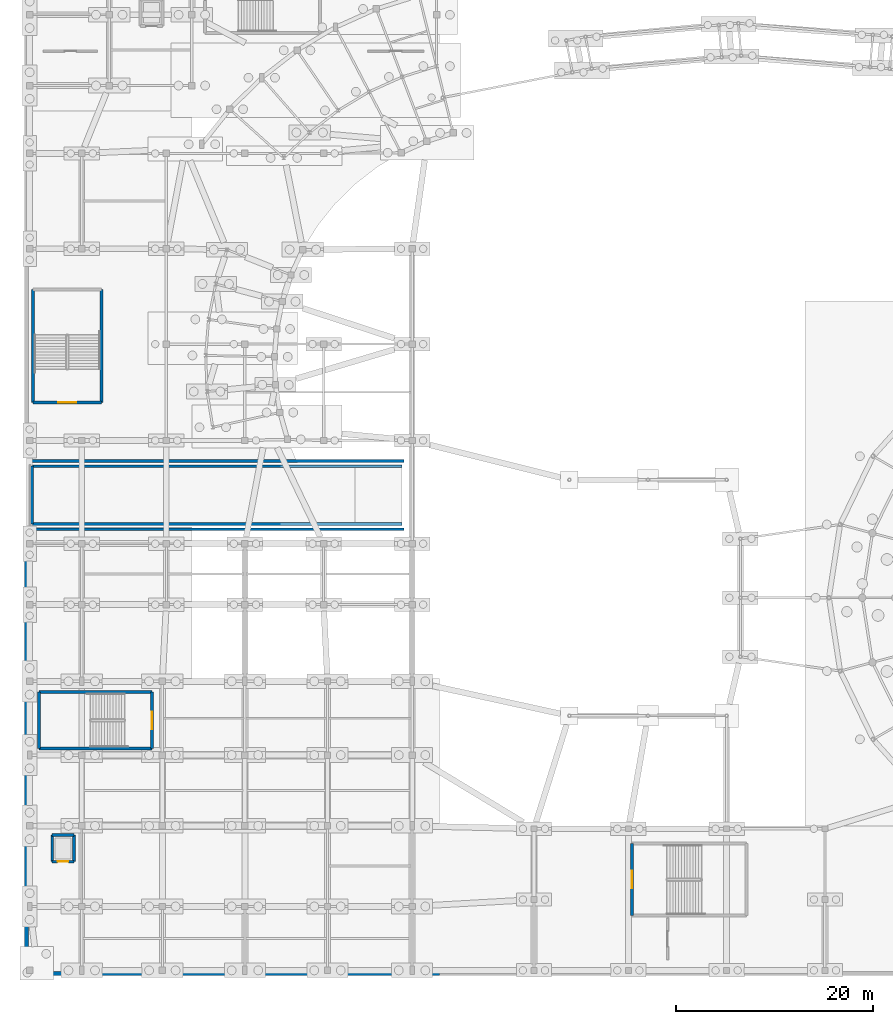
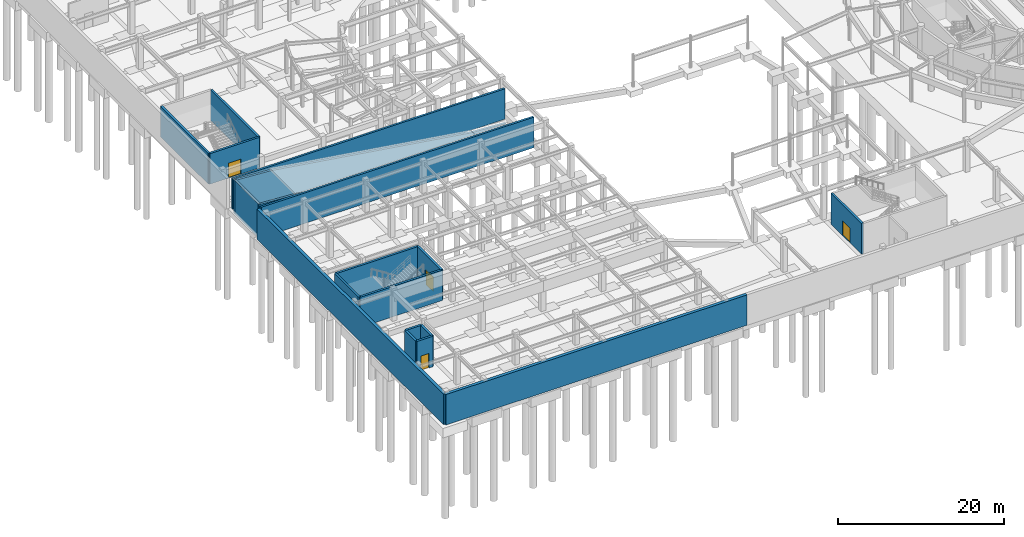
# One storey, part 36 of 68: 19 walls, 4 doors, 4 openings.
"""IFC4 building model written with IfcOpenShell, lengths in metres."""

from ifc_helpers import new_model, si_unit, direction, frame, frame_2d, origin, place, context, subcontext, project, spatial, polyline, rectangle, outline, extrude, material, layer, layer_set, type_object, element, fill, save


model = new_model("IFC4")

# Units and contexts
model_context = context("Model", 3, precision=1e-05, world=origin(), true_north=direction((0.0, 1.0)))
body_context = subcontext(model_context, "Body", "Model", "MODEL_VIEW")
ifc_project = project(units=[si_unit("LENGTHUNIT", "METRE"), si_unit("AREAUNIT", "SQUARE_METRE"), si_unit("VOLUMEUNIT", "CUBIC_METRE"), si_unit("PLANEANGLEUNIT", "RADIAN"), si_unit("MASSUNIT", "GRAM", prefix="KILO")], contexts=[model_context])

# Site, building, storey
site_placement = place(None, origin())
site = spatial("IfcSite", under=ifc_project, at=site_placement, CompositionType="ELEMENT")
building_placement = place(site_placement, origin())
building = spatial("IfcBuilding", under=site, at=building_placement, Name="Cinderbank Siding Concert Hall", CompositionType="ELEMENT")
storey_placement = place(building_placement, frame((0.0, 0.0, -4.800048828125)))
storey = spatial("IfcBuildingStorey", under=building, at=storey_placement, Name="B1", CompositionType="ELEMENT", Elevation=-4.800048828125)

# Walls
ifc_material_1 = material(Name="Reinforced concrete AS 3600 N50 (50 MPa)", Category="concrete")
ifc_layer_1 = layer(ifc_material_1, 0.300048828125)
ifc_layer_set_1 = layer_set([ifc_layer_1], Name="Reinforced concrete AS 3600 N50 (50 MPa)")
wall_type_1 = type_object("IfcWallType", Name="WL-03 Structural Wall 300mm", PredefinedType="SHEAR", material=ifc_layer_set_1)
for number, where, z_axis, x_axis, name in (
    (1, (45.0, 57.3798828125, -0.349853515625), (0.0, 0.0, 1.0), (-1.0, 0.0, 0.0), "B1 Vehicle Ramp Bearing Cheek Wall N"),
    (2, (45.0, 51.52001953125, -0.349853515625), (0.0, 0.0, 1.0), (-1.0, 0.0, 0.0), "B1 Vehicle Ramp Bearing Cheek Wall S"),
):
    element("IfcWall", number, at=place(storey_placement, frame(where, z_axis=z_axis, x_axis=x_axis)), inside=storey, type_object=wall_type_1, Name=name, PredefinedType="SHEAR", context=body_context, shape_type="SweptSolid", body=[
        extrude(outline(polyline([(0.0, 0.0), (37.800048828125, 0.0), (37.800048828125, 4.91796875), (32.800048828125, 4.614990234375), (4.800048828125, 0.414794921875), (0.0, 0.117919921875), (0.0, 0.0)])), frame((0.0, 0.14990234375, 0.0), z_axis=(0.0, -1.0, 0.0), x_axis=(1.0, 0.0, 0.0)), (0.0, 0.0, 1.0), 0.300048828125),
    ])
wall_1_placement = place(storey_placement, frame((7.35009765625, 51.52001953125, -0.349853515625), z_axis=(0.0, 0.0, 1.0), x_axis=(0.0, 1.0, 0.0)))
element("IfcWall", 3, at=wall_1_placement, inside=storey, type_object=wall_type_1, Name="B1 Vehicle Ramp Threshold Bearing Wall", PredefinedType="SHEAR", context=body_context, shape_type="SweptSolid", body=[
    extrude(rectangle(XDim=5.85986328125, YDim=0.300048828125, at=frame_2d((2.929931640625, 0.0))), origin(), (0.0, 0.0, 1.0), 4.914794921875),
])

# Wall, opening, door
wall_2_placement = place(storey_placement, frame((19.5400390625, 34.39990234375, 0.0), z_axis=(0.0, 0.0, 1.0), x_axis=(0.0, -1.0, 0.0)))
wall_2 = element("IfcWall", 4, at=wall_2_placement, inside=storey, type_object=wall_type_1, Name="B1 ST-06 Core Wall ENTRY", PredefinedType="SHEAR", context=body_context, shape_type="SweptSolid", body=[
    extrude(rectangle(XDim=5.739990234375, YDim=0.300048828125, at=frame_2d((2.8701171875, 0.0))), origin(), (0.0, 0.0, 1.0), 4.47998046875),
])
opening_1_placement = place(wall_2_placement, frame((1.969970703125, 0.0, 0.0)))
opening_1 = element("IfcOpeningElement", 5, at=opening_1_placement, cuts=wall_2, Name="Opening D-05", PredefinedType="OPENING", context=body_context, shape_type="SweptSolid", body=[
    extrude(rectangle(XDim=1.800048828125, YDim=2.199951171875, at=frame_2d((0.89990234375, 1.10009765625))), frame((0.0, 0.162109375, 0.0), z_axis=(0.0, -1.0, 0.0), x_axis=(1.0, 0.0, 0.0)), (0.0, 0.0, 1.0), 0.323974609375),
])
ifc_material_2 = material(Name="Galvanised sheet steel acoustic fire door assembly", Category="steel")
door_type_1 = type_object("IfcDoorType", Name="D-05 Interior Door 1800x2200", OperationType="DOUBLE_DOOR_SINGLE_SWING", PredefinedType="DOOR", material=ifc_material_2)
door_1_placement = place(opening_1_placement, origin())
door_1 = element("IfcDoor", 6, at=door_1_placement, inside=storey, type_object=door_type_1, Name="B1 ST-06 Fire Stair Door B1-D035", OperationType="DOUBLE_DOOR_SINGLE_SWING", OverallHeight=2.199951171875, OverallWidth=1.800048828125, PredefinedType="DOOR", context=body_context, shape_type="SweptSolid", body=[
    extrude(rectangle(XDim=1.800048828125, YDim=2.199951171875, at=frame_2d((0.89990234375, 1.10009765625))), frame((0.0, 0.02490234375, 0.0), z_axis=(0.0, -1.0, 0.0), x_axis=(1.0, 0.0, 0.0)), (0.0, 0.0, 1.0), 0.050048828125),
])
fill(opening_1, door_1)

# Walls
wall_3_placement = place(storey_placement, frame((8.06005859375, 28.659912109375, 0.0), z_axis=(0.0, 0.0, 1.0), x_axis=(0.0, 1.0, 0.0)))
element("IfcWall", 7, at=wall_3_placement, inside=storey, type_object=wall_type_1, Name="B1 ST-06 Core Wall FAR", PredefinedType="SHEAR", context=body_context, shape_type="SweptSolid", body=[
    extrude(rectangle(XDim=5.739990234375, YDim=0.300048828125, at=frame_2d((2.8701171875, 0.0))), origin(), (0.0, 0.0, 1.0), 4.47998046875),
])
for number, where, z_axis, x_axis, name in (
    (8, (8.06005859375, 34.39990234375, 0.0), (0.0, 0.0, 1.0), (1.0, 0.0, 0.0), "B1 ST-06 Core Wall SIDE1"),
    (9, (19.5400390625, 28.659912109375, 0.0), (0.0, 0.0, 1.0), (-1.0, 0.0, 0.0), "B1 ST-06 Core Wall SIDE2"),
):
    element("IfcWall", number, at=place(storey_placement, frame(where, z_axis=z_axis, x_axis=x_axis)), inside=storey, type_object=wall_type_1, Name=name, PredefinedType="SHEAR", context=body_context, shape_type="SweptSolid", body=[
        extrude(rectangle(XDim=11.47998046875, YDim=0.300048828125, at=frame_2d((5.739990234375, 0.0))), origin(), (0.0, 0.0, 1.0), 4.47998046875),
    ])

# Wall, opening, door
wall_4_placement = place(storey_placement, frame((68.360107421875, 11.659912109375, 0.0), z_axis=(0.0, 0.0, 1.0), x_axis=(0.0, 1.0, 0.0)))
wall_4 = element("IfcWall", 10, at=wall_4_placement, inside=storey, type_object=wall_type_1, Name="B1 ST-08 Core Wall ENTRY", PredefinedType="SHEAR", context=body_context, shape_type="SweptSolid", body=[
    extrude(rectangle(XDim=7.340087890625, YDim=0.300048828125, at=frame_2d((3.669921875, 0.0))), origin(), (0.0, 0.0, 1.0), 4.52001953125),
])
opening_2_placement = place(wall_4_placement, frame((2.77001953125, 0.0, 0.0)))
opening_2 = element("IfcOpeningElement", 11, at=opening_2_placement, cuts=wall_4, Name="Opening D-05", PredefinedType="OPENING", context=body_context, shape_type="SweptSolid", body=[
    extrude(rectangle(XDim=1.800048828125, YDim=2.199951171875, at=frame_2d((0.89990234375, 1.10009765625))), frame((0.0, 0.162109375, 0.0), z_axis=(0.0, -1.0, 0.0), x_axis=(1.0, 0.0, 0.0)), (0.0, 0.0, 1.0), 0.323974609375),
])
door_2_placement = place(opening_2_placement, origin())
door_2 = element("IfcDoor", 12, at=door_2_placement, inside=storey, type_object=door_type_1, Name="B1 ST-08 Fire Stair Door B1-D043", OperationType="DOUBLE_DOOR_SINGLE_SWING", OverallHeight=2.199951171875, OverallWidth=1.800048828125, PredefinedType="DOOR", context=body_context, shape_type="SweptSolid", body=[
    extrude(rectangle(XDim=1.800048828125, YDim=2.199951171875, at=frame_2d((0.89990234375, 1.10009765625))), frame((0.0, 0.02490234375, 0.0), z_axis=(0.0, -1.0, 0.0), x_axis=(1.0, 0.0, 0.0)), (0.0, 0.0, 1.0), 0.050048828125),
])
fill(opening_2, door_2)

wall_5_placement = place(storey_placement, frame((14.39990234375, 63.860107421875, 0.0), z_axis=(0.0, 0.0, 1.0), x_axis=(-1.0, 0.0, 0.0)))
wall_5 = element("IfcWall", 13, at=wall_5_placement, inside=storey, type_object=wall_type_1, Name="B1 ST-09 Core Wall ENTRY", PredefinedType="SHEAR", context=body_context, shape_type="SweptSolid", body=[
    extrude(rectangle(XDim=6.93994140625, YDim=0.300048828125, at=frame_2d((3.469970703125, 0.0))), origin(), (0.0, 0.0, 1.0), 4.5),
])
opening_3_placement = place(wall_5_placement, frame((2.570068359375, 0.0, 0.0)))
opening_3 = element("IfcOpeningElement", 14, at=opening_3_placement, cuts=wall_5, Name="Opening D-05", PredefinedType="OPENING", context=body_context, shape_type="SweptSolid", body=[
    extrude(rectangle(XDim=1.800048828125, YDim=2.199951171875, at=frame_2d((0.89990234375, 1.10009765625))), frame((0.0, 0.162109375, 0.0), z_axis=(0.0, -1.0, 0.0), x_axis=(1.0, 0.0, 0.0)), (0.0, 0.0, 1.0), 0.323974609375),
])
door_3_placement = place(opening_3_placement, origin())
door_3 = element("IfcDoor", 15, at=door_3_placement, inside=storey, type_object=door_type_1, Name="B1 ST-09 Fire Stair Door B1-D046", OperationType="DOUBLE_DOOR_SINGLE_SWING", OverallHeight=2.199951171875, OverallWidth=1.800048828125, PredefinedType="DOOR", context=body_context, shape_type="SweptSolid", body=[
    extrude(rectangle(XDim=1.800048828125, YDim=2.199951171875, at=frame_2d((0.89990234375, 1.10009765625))), frame((0.0, 0.02490234375, 0.0), z_axis=(0.0, -1.0, 0.0), x_axis=(1.0, 0.0, 0.0)), (0.0, 0.0, 1.0), 0.050048828125),
])
fill(opening_3, door_3)

# Walls
for number, where, z_axis, x_axis, name in (
    (16, (14.39990234375, 75.340087890625, 0.0), (0.0, 0.0, 1.0), (0.0, -1.0, 0.0), "B1 ST-09 Core Wall SIDE1"),
    (17, (7.4599609375, 63.860107421875, 0.0), (0.0, 0.0, 1.0), (0.0, 1.0, 0.0), "B1 ST-09 Core Wall SIDE2"),
):
    element("IfcWall", number, at=place(storey_placement, frame(where, z_axis=z_axis, x_axis=x_axis)), inside=storey, type_object=wall_type_1, Name=name, PredefinedType="SHEAR", context=body_context, shape_type="SweptSolid", body=[
        extrude(rectangle(XDim=11.47998046875, YDim=0.300048828125, at=frame_2d((5.739990234375, 0.0))), origin(), (0.0, 0.0, 1.0), 4.5),
    ])

# Wall, opening, door
wall_6_placement = place(storey_placement, frame((11.60009765625, 17.14990234375, 0.0), z_axis=(0.0, 0.0, 1.0), x_axis=(-1.0, 0.0, 0.0)))
wall_6 = element("IfcWall", 18, at=wall_6_placement, inside=storey, type_object=wall_type_1, Name="B1 LF-07 Shaft Wall -Y", PredefinedType="SHEAR", context=body_context, shape_type="SweptSolid", body=[
    extrude(rectangle(XDim=2.2001953125, YDim=0.300048828125, at=frame_2d((1.10009765625, 0.0))), origin(), (0.0, 0.0, 1.0), 4.47998046875),
])
opening_4_placement = place(wall_6_placement, frame((0.550048828125, 0.0, 0.0)))
opening_4 = element("IfcOpeningElement", 19, at=opening_4_placement, cuts=wall_6, Name="Opening LD-01", PredefinedType="OPENING", context=body_context, shape_type="SweptSolid", body=[
    extrude(rectangle(XDim=1.10009765625, YDim=2.14990234375, at=frame_2d((0.550048828125, 1.074951171875))), frame((0.0, 0.162109375, 0.0), z_axis=(0.0, -1.0, 0.0), x_axis=(1.0, 0.0, 0.0)), (0.0, 0.0, 1.0), 0.323974609375),
])
door_type_2 = type_object("IfcDoorType", Name="LD-01 Interior Door 1100x2150", OperationType="DOUBLE_DOOR_SLIDING", PredefinedType="DOOR", material=ifc_material_2)
door_4_placement = place(opening_4_placement, origin())
door_4 = element("IfcDoor", 20, at=door_4_placement, inside=storey, type_object=door_type_2, Name="B1 LF-07 Sliding Landing Door", OperationType="DOUBLE_DOOR_SLIDING", OverallHeight=2.14990234375, OverallWidth=1.10009765625, PredefinedType="DOOR", context=body_context, shape_type="SweptSolid", body=[
    extrude(rectangle(XDim=1.10009765625, YDim=2.14990234375, at=frame_2d((0.550048828125, 1.074951171875))), frame((0.0, 0.02490234375, 0.0), z_axis=(0.0, -1.0, 0.0), x_axis=(1.0, 0.0, 0.0)), (0.0, 0.0, 1.0), 0.050048828125),
])
fill(opening_4, door_4)

# Walls
wall_7_placement = place(storey_placement, frame((11.60009765625, 19.85009765625, 0.0), z_axis=(0.0, 0.0, 1.0), x_axis=(0.0, -1.0, 0.0)))
element("IfcWall", 21, at=wall_7_placement, inside=storey, type_object=wall_type_1, Name="B1 LF-07 Shaft Wall +X", PredefinedType="SHEAR", context=body_context, shape_type="SweptSolid", body=[
    extrude(rectangle(XDim=2.7001953125, YDim=0.300048828125, at=frame_2d((1.35009765625, 0.0))), origin(), (0.0, 0.0, 1.0), 4.47998046875),
])
wall_8_placement = place(storey_placement, frame((9.39990234375, 19.85009765625, 0.0), z_axis=(0.0, 0.0, 1.0), x_axis=(1.0, 0.0, 0.0)))
element("IfcWall", 22, at=wall_8_placement, inside=storey, type_object=wall_type_1, Name="B1 LF-07 Shaft Wall +Y", PredefinedType="SHEAR", context=body_context, shape_type="SweptSolid", body=[
    extrude(rectangle(XDim=2.2001953125, YDim=0.300048828125, at=frame_2d((1.10009765625, 0.0))), origin(), (0.0, 0.0, 1.0), 4.47998046875),
])
wall_9_placement = place(storey_placement, frame((9.39990234375, 17.14990234375, 0.0), z_axis=(0.0, 0.0, 1.0), x_axis=(0.0, 1.0, 0.0)))
element("IfcWall", 23, at=wall_9_placement, inside=storey, type_object=wall_type_1, Name="B1 LF-07 Shaft Wall -X", PredefinedType="SHEAR", context=body_context, shape_type="SweptSolid", body=[
    extrude(rectangle(XDim=2.7001953125, YDim=0.300048828125, at=frame_2d((1.35009765625, 0.0))), origin(), (0.0, 0.0, 1.0), 4.47998046875),
])
ifc_material_3 = material(Name="Reinforced concrete AS 3600 N40 (40 MPa)", Category="concrete")
ifc_layer_2 = layer(ifc_material_3, 0.419921875)
ifc_layer_set_2 = layer_set([ifc_layer_2], Name="Reinforced concrete AS 3600 N40 (40 MPa)")
wall_type_2 = type_object("IfcWallType", Name="WL-04 Structural Wall 420mm", PredefinedType="SOLIDWALL", material=ifc_layer_set_2)
wall_10_placement = place(storey_placement, frame((6.800048828125, 5.800048828125, 0.0), z_axis=(0.0, 0.0, 1.0), x_axis=(1.0, 0.0, 0.0)))
element("IfcWall", 24, at=wall_10_placement, inside=storey, type_object=wall_type_2, Name="B1 Structural Wall SW-B1-RET-01", PredefinedType="SOLIDWALL", context=body_context, shape_type="SweptSolid", body=[
    extrude(rectangle(XDim=42.0, YDim=0.419921875, at=frame_2d((21.0, 0.0))), origin(), (0.0, 0.0, 1.0), 4.47998046875),
])
wall_11_placement = place(storey_placement, frame((6.800048828125, 50.800048828125, 0.0), z_axis=(0.0, 0.0, 1.0), x_axis=(0.0, -1.0, 0.0)))
element("IfcWall", 25, at=wall_11_placement, inside=storey, type_object=wall_type_2, Name="B1 Structural Wall SW-B1-RET-09", PredefinedType="SOLIDWALL", context=body_context, shape_type="SweptSolid", body=[
    extrude(rectangle(XDim=45.0, YDim=0.419921875, at=frame_2d((22.5, 0.0))), origin(), (0.0, 0.0, 1.0), 4.47998046875),
])
ifc_layer_3 = layer(ifc_material_1, 0.280029296875)
ifc_layer_set_3 = layer_set([ifc_layer_3], Name="Reinforced concrete AS 3600 N50 (50 MPa)")
wall_type_3 = type_object("IfcWallType", Name="WL-05 Structural Wall 280mm", PredefinedType="SHEAR", material=ifc_layer_set_3)
wall_12_placement = place(storey_placement, frame((7.199951171875, 50.97998046875, 0.0), z_axis=(0.0, 0.0, 1.0), x_axis=(1.0, 0.0, 0.0)))
element("IfcWall", 26, at=wall_12_placement, inside=storey, type_object=wall_type_3, Name="B1 Structural Wall SW-B1-RET-10", PredefinedType="SHEAR", context=body_context, shape_type="SweptSolid", body=[
    extrude(rectangle(XDim=38.0, YDim=0.280029296875, at=frame_2d((19.0, 0.0))), origin(), (0.0, 0.0, 1.0), 4.5),
])
wall_13_placement = place(storey_placement, frame((7.199951171875, 57.919921875, 0.0), z_axis=(0.0, 0.0, 1.0), x_axis=(1.0, 0.0, 0.0)))
element("IfcWall", 27, at=wall_13_placement, inside=storey, type_object=wall_type_3, Name="B1 Structural Wall SW-B1-RET-11", PredefinedType="SHEAR", context=body_context, shape_type="SweptSolid", body=[
    extrude(rectangle(XDim=38.0, YDim=0.280029296875, at=frame_2d((19.0, 0.0))), origin(), (0.0, 0.0, 1.0), 4.47998046875),
])

save(model, "model.ifc")
